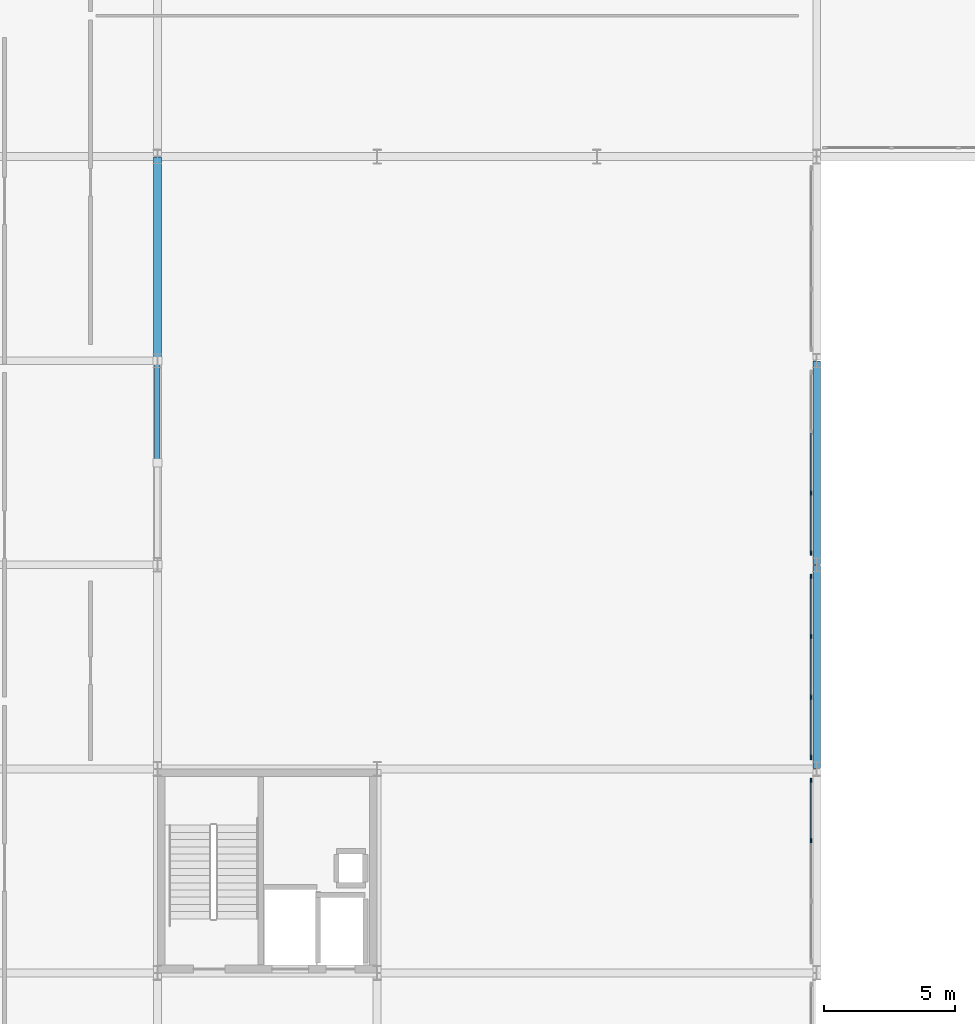
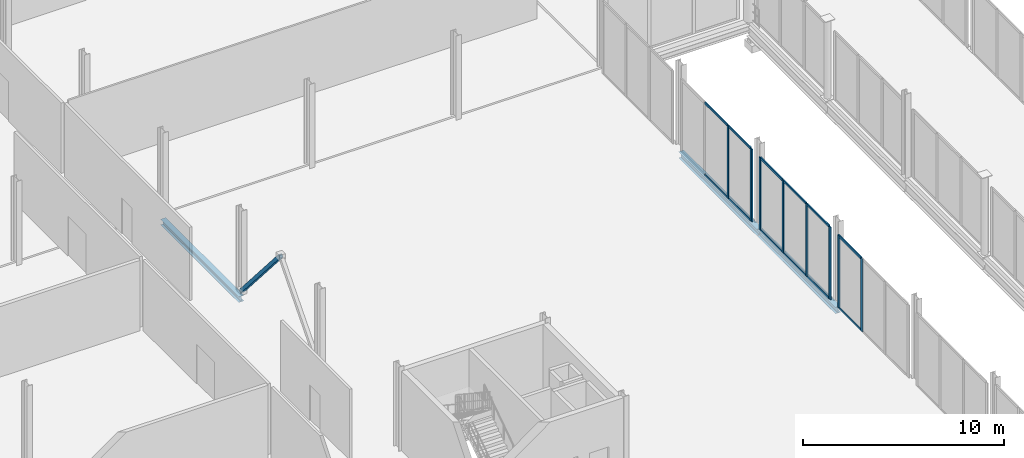
# One storey, part 41 of 105: 21 members, 3 beams, 3 elements without a shape of their own.
"""IFC4 building model written with IfcOpenShell, lengths in metres."""

from ifc_helpers import new_model, si_unit, direction, frame, origin, origin_2d, place, context, subcontext, project, spatial, rectangle, hollow_rectangle, i_section, extrude, material, material_profile, profile_set, type_object, element, aggregate, save


model = new_model("IFC4")

# Units and contexts
model_context = context("Model", 3, precision=1e-05, world=origin(), true_north=direction((0.0, 1.0)))
body_context = subcontext(model_context, "Body", "Model", "MODEL_VIEW")
ifc_project = project(units=[si_unit("LENGTHUNIT", "METRE"), si_unit("AREAUNIT", "SQUARE_METRE"), si_unit("VOLUMEUNIT", "CUBIC_METRE"), si_unit("PLANEANGLEUNIT", "RADIAN"), si_unit("MASSUNIT", "GRAM", prefix="KILO")], contexts=[model_context])

# Site, building, storey
site_placement = place(None, origin())
site = spatial("IfcSite", under=ifc_project, at=site_placement, CompositionType="ELEMENT")
building_placement = place(site_placement, origin())
building = spatial("IfcBuilding", under=site, at=building_placement, Name="Nabrawat Pavilion Hospital", CompositionType="ELEMENT")
storey_placement = place(building_placement, frame((0.0, 0.0, 5.10009765625)))
storey = spatial("IfcBuildingStorey", under=building, at=storey_placement, Name="L01", CompositionType="ELEMENT", Elevation=5.10009765625)

# Curtain wall, members
ifc_material_1 = material(Name="Anodised Aluminium", Category="aluminium")
curtain_wall_type = type_object("IfcCurtainWallType", Name="Healing Garden Cloister Curtain Wall", PredefinedType="USERDEFINED", material=ifc_material_1)
curtain_wall_1_placement = place(storey_placement, origin())
curtain_wall_1 = element("IfcCurtainWall", 1, at=curtain_wall_1_placement, inside=storey, type_object=curtain_wall_type, Name="L01 Healing Garden Cloister Curtain Wall 045", ObjectType="CURTAIN WALL", PredefinedType="USERDEFINED")
ifc_material_profile_1 = material_profile(ifc_material_1, rectangle(XDim=0.06494140625, YDim=0.179931640625, at=origin_2d()), Name="CWM 65x180")
ifc_profile_set_1 = profile_set([ifc_material_profile_1], Name="Anodised Aluminium")
member_type_1 = type_object("IfcMemberType", Name="Healing Garden Cloister Curtain Wall Mullion CWM 65x180", PredefinedType="MULLION", material=ifc_profile_set_1)
member_1_placement = place(storey_placement, frame((58.580078125, 59.66162109375, 0.0), z_axis=(0.0, 0.0, 1.0), x_axis=(-1.0, 0.0, 0.0)))
member_1 = element("IfcMember", 2, at=member_1_placement, type_object=member_type_1, Name="CW-CLN-01 mullion 3", PredefinedType="MULLION", context=body_context, shape_type="SweptSolid", body=[
    extrude(rectangle(XDim=0.06494140625, YDim=0.179931640625, at=origin_2d()), origin(), (0.0, 0.0, 1.0), 4.419921875),
])
member_2_placement = place(storey_placement, frame((58.580078125, 61.952392578125, 0.0), z_axis=(0.0, 0.0, 1.0), x_axis=(-1.0, 0.0, 0.0)))
member_2 = element("IfcMember", 3, at=member_2_placement, type_object=member_type_1, Name="CW-CLN-01 mullion 4", PredefinedType="MULLION", context=body_context, shape_type="SweptSolid", body=[
    extrude(rectangle(XDim=0.06494140625, YDim=0.179931640625, at=origin_2d()), origin(), (0.0, 0.0, 1.0), 4.419921875),
])

curtain_wall_2_placement = place(storey_placement, origin())
curtain_wall_2 = element("IfcCurtainWall", 4, at=curtain_wall_2_placement, inside=storey, type_object=curtain_wall_type, Name="L01 Healing Garden Cloister Curtain Wall 046", ObjectType="CURTAIN WALL", PredefinedType="USERDEFINED")
member_3_placement = place(storey_placement, frame((58.580078125, 62.847412109375, 0.0), z_axis=(0.0, 0.0, 1.0), x_axis=(-1.0, 0.0, 0.0)))
member_3 = element("IfcMember", 5, at=member_3_placement, type_object=member_type_1, Name="CW-CLN-01 mullion 1", PredefinedType="MULLION", context=body_context, shape_type="SweptSolid", body=[
    extrude(rectangle(XDim=0.06494140625, YDim=0.179931640625, at=origin_2d()), origin(), (0.0, 0.0, 1.0), 4.419921875),
])
member_4_placement = place(storey_placement, frame((58.580078125, 65.138427734375, 0.0), z_axis=(0.0, 0.0, 1.0), x_axis=(-1.0, 0.0, 0.0)))
member_4 = element("IfcMember", 6, at=member_4_placement, type_object=member_type_1, Name="CW-CLN-01 mullion 2", PredefinedType="MULLION", context=body_context, shape_type="SweptSolid", body=[
    extrude(rectangle(XDim=0.06494140625, YDim=0.179931640625, at=origin_2d()), origin(), (0.0, 0.0, 1.0), 4.419921875),
])
member_5_placement = place(storey_placement, frame((58.580078125, 67.461669921875, 0.0), z_axis=(0.0, 0.0, 1.0), x_axis=(-1.0, 0.0, 0.0)))
member_5 = element("IfcMember", 7, at=member_5_placement, type_object=member_type_1, Name="CW-CLN-01 mullion 3", PredefinedType="MULLION", context=body_context, shape_type="SweptSolid", body=[
    extrude(rectangle(XDim=0.06494140625, YDim=0.179931640625, at=origin_2d()), origin(), (0.0, 0.0, 1.0), 4.419921875),
])
member_6_placement = place(storey_placement, frame((58.580078125, 69.75244140625, 0.0), z_axis=(0.0, 0.0, 1.0), x_axis=(-1.0, 0.0, 0.0)))
member_6 = element("IfcMember", 8, at=member_6_placement, type_object=member_type_1, Name="CW-CLN-01 mullion 4", PredefinedType="MULLION", context=body_context, shape_type="SweptSolid", body=[
    extrude(rectangle(XDim=0.06494140625, YDim=0.179931640625, at=origin_2d()), origin(), (0.0, 0.0, 1.0), 4.419921875),
])

curtain_wall_3_placement = place(storey_placement, origin())
curtain_wall_3 = element("IfcCurtainWall", 9, at=curtain_wall_3_placement, inside=storey, type_object=curtain_wall_type, Name="L01 Healing Garden Cloister Curtain Wall 047", ObjectType="CURTAIN WALL", PredefinedType="USERDEFINED")
member_7_placement = place(storey_placement, frame((58.580078125, 70.6474609375, 0.0), z_axis=(0.0, 0.0, 1.0), x_axis=(-1.0, 0.0, 0.0)))
member_7 = element("IfcMember", 10, at=member_7_placement, type_object=member_type_1, Name="CW-CLN-01 mullion 1", PredefinedType="MULLION", context=body_context, shape_type="SweptSolid", body=[
    extrude(rectangle(XDim=0.06494140625, YDim=0.179931640625, at=origin_2d()), origin(), (0.0, 0.0, 1.0), 4.419921875),
])
member_8_placement = place(storey_placement, frame((58.580078125, 72.938232421875, 0.0), z_axis=(0.0, 0.0, 1.0), x_axis=(-1.0, 0.0, 0.0)))
member_8 = element("IfcMember", 11, at=member_8_placement, type_object=member_type_1, Name="CW-CLN-01 mullion 2", PredefinedType="MULLION", context=body_context, shape_type="SweptSolid", body=[
    extrude(rectangle(XDim=0.06494140625, YDim=0.179931640625, at=origin_2d()), origin(), (0.0, 0.0, 1.0), 4.419921875),
])

# Member
ifc_material_profile_2 = material_profile(ifc_material_1, rectangle(XDim=0.06494140625, YDim=0.135009765625, at=origin_2d()), Name="CWT 65x135")
ifc_profile_set_2 = profile_set([ifc_material_profile_2], Name="Anodised Aluminium")
member_type_2 = type_object("IfcMemberType", Name="Healing Garden Cloister Curtain Wall Transom CWT 65x135", PredefinedType="USERDEFINED", material=ifc_profile_set_2)
member_9_placement = place(storey_placement, frame((58.580078125, 59.694091796875, 0.032470703125), z_axis=(0.0, 1.0, 0.0), x_axis=(-1.0, 0.0, 0.0)))
member_9 = element("IfcMember", 12, at=member_9_placement, type_object=member_type_2, Name="CW-CLN-01 transom 3.1", ObjectType="TRANSOM", PredefinedType="USERDEFINED", context=body_context, shape_type="SweptSolid", body=[
    extrude(rectangle(XDim=0.06494140625, YDim=0.135009765625, at=origin_2d()), origin(), (0.0, 0.0, 1.0), 2.225830078125),
])

member_10_placement = place(storey_placement, frame((58.580078125, 59.694091796875, 4.387451171875), z_axis=(0.0, 1.0, 0.0), x_axis=(-1.0, 0.0, 0.0)))
member_10 = element("IfcMember", 13, at=member_10_placement, type_object=member_type_2, Name="CW-CLN-01 transom 3.2", ObjectType="TRANSOM", PredefinedType="USERDEFINED", context=body_context, shape_type="SweptSolid", body=[
    extrude(rectangle(XDim=0.06494140625, YDim=0.135009765625, at=origin_2d()), origin(), (0.0, 0.0, 1.0), 2.225830078125),
])

aggregate(curtain_wall_1, [member_1, member_2, member_9, member_10])

member_11_placement = place(storey_placement, frame((58.580078125, 62.8798828125, 0.032470703125), z_axis=(0.0, 1.0, 0.0), x_axis=(-1.0, 0.0, 0.0)))
member_11 = element("IfcMember", 14, at=member_11_placement, type_object=member_type_2, Name="CW-CLN-01 transom 1.1", ObjectType="TRANSOM", PredefinedType="USERDEFINED", context=body_context, shape_type="SweptSolid", body=[
    extrude(rectangle(XDim=0.06494140625, YDim=0.135009765625, at=origin_2d()), origin(), (0.0, 0.0, 1.0), 2.225830078125),
])

member_12_placement = place(storey_placement, frame((58.580078125, 62.8798828125, 4.387451171875), z_axis=(0.0, 1.0, 0.0), x_axis=(-1.0, 0.0, 0.0)))
member_12 = element("IfcMember", 15, at=member_12_placement, type_object=member_type_2, Name="CW-CLN-01 transom 1.2", ObjectType="TRANSOM", PredefinedType="USERDEFINED", context=body_context, shape_type="SweptSolid", body=[
    extrude(rectangle(XDim=0.06494140625, YDim=0.135009765625, at=origin_2d()), origin(), (0.0, 0.0, 1.0), 2.225830078125),
])

member_13_placement = place(storey_placement, frame((58.580078125, 65.1708984375, 0.032470703125), z_axis=(0.0, 1.0, 0.0), x_axis=(-1.0, 0.0, 0.0)))
member_13 = element("IfcMember", 16, at=member_13_placement, type_object=member_type_2, Name="CW-CLN-01 transom 2.1", ObjectType="TRANSOM", PredefinedType="USERDEFINED", context=body_context, shape_type="SweptSolid", body=[
    extrude(rectangle(XDim=0.06494140625, YDim=0.135009765625, at=origin_2d()), origin(), (0.0, 0.0, 1.0), 2.25830078125),
])

member_14_placement = place(storey_placement, frame((58.580078125, 65.1708984375, 4.387451171875), z_axis=(0.0, 1.0, 0.0), x_axis=(-1.0, 0.0, 0.0)))
member_14 = element("IfcMember", 17, at=member_14_placement, type_object=member_type_2, Name="CW-CLN-01 transom 2.2", ObjectType="TRANSOM", PredefinedType="USERDEFINED", context=body_context, shape_type="SweptSolid", body=[
    extrude(rectangle(XDim=0.06494140625, YDim=0.135009765625, at=origin_2d()), origin(), (0.0, 0.0, 1.0), 2.25830078125),
])

member_15_placement = place(storey_placement, frame((58.580078125, 67.494140625, 0.032470703125), z_axis=(0.0, 1.0, 0.0), x_axis=(-1.0, 0.0, 0.0)))
member_15 = element("IfcMember", 18, at=member_15_placement, type_object=member_type_2, Name="CW-CLN-01 transom 3.1", ObjectType="TRANSOM", PredefinedType="USERDEFINED", context=body_context, shape_type="SweptSolid", body=[
    extrude(rectangle(XDim=0.06494140625, YDim=0.135009765625, at=origin_2d()), origin(), (0.0, 0.0, 1.0), 2.225830078125),
])

member_16_placement = place(storey_placement, frame((58.580078125, 67.494140625, 4.387451171875), z_axis=(0.0, 1.0, 0.0), x_axis=(-1.0, 0.0, 0.0)))
member_16 = element("IfcMember", 19, at=member_16_placement, type_object=member_type_2, Name="CW-CLN-01 transom 3.2", ObjectType="TRANSOM", PredefinedType="USERDEFINED", context=body_context, shape_type="SweptSolid", body=[
    extrude(rectangle(XDim=0.06494140625, YDim=0.135009765625, at=origin_2d()), origin(), (0.0, 0.0, 1.0), 2.225830078125),
])

aggregate(curtain_wall_2, [member_3, member_4, member_5, member_6, member_11, member_12, member_13, member_14, member_15, member_16])

member_17_placement = place(storey_placement, frame((58.580078125, 70.679931640625, 0.032470703125), z_axis=(0.0, 1.0, 0.0), x_axis=(-1.0, 0.0, 0.0)))
member_17 = element("IfcMember", 20, at=member_17_placement, type_object=member_type_2, Name="CW-CLN-01 transom 1.1", ObjectType="TRANSOM", PredefinedType="USERDEFINED", context=body_context, shape_type="SweptSolid", body=[
    extrude(rectangle(XDim=0.06494140625, YDim=0.135009765625, at=origin_2d()), origin(), (0.0, 0.0, 1.0), 2.225830078125),
])

member_18_placement = place(storey_placement, frame((58.580078125, 70.679931640625, 4.387451171875), z_axis=(0.0, 1.0, 0.0), x_axis=(-1.0, 0.0, 0.0)))
member_18 = element("IfcMember", 21, at=member_18_placement, type_object=member_type_2, Name="CW-CLN-01 transom 1.2", ObjectType="TRANSOM", PredefinedType="USERDEFINED", context=body_context, shape_type="SweptSolid", body=[
    extrude(rectangle(XDim=0.06494140625, YDim=0.135009765625, at=origin_2d()), origin(), (0.0, 0.0, 1.0), 2.225830078125),
])

member_19_placement = place(storey_placement, frame((58.580078125, 72.970947265625, 0.032470703125), z_axis=(0.0, 1.0, 0.0), x_axis=(-1.0, 0.0, 0.0)))
member_19 = element("IfcMember", 22, at=member_19_placement, type_object=member_type_2, Name="CW-CLN-01 transom 2.1", ObjectType="TRANSOM", PredefinedType="USERDEFINED", context=body_context, shape_type="SweptSolid", body=[
    extrude(rectangle(XDim=0.06494140625, YDim=0.135009765625, at=origin_2d()), origin(), (0.0, 0.0, 1.0), 2.25830078125),
])

member_20_placement = place(storey_placement, frame((58.580078125, 72.970947265625, 4.387451171875), z_axis=(0.0, 1.0, 0.0), x_axis=(-1.0, 0.0, 0.0)))
member_20 = element("IfcMember", 23, at=member_20_placement, type_object=member_type_2, Name="CW-CLN-01 transom 2.2", ObjectType="TRANSOM", PredefinedType="USERDEFINED", context=body_context, shape_type="SweptSolid", body=[
    extrude(rectangle(XDim=0.06494140625, YDim=0.135009765625, at=origin_2d()), origin(), (0.0, 0.0, 1.0), 2.25830078125),
])

aggregate(curtain_wall_3, [member_7, member_8, member_17, member_18, member_19, member_20])

ifc_material_2 = material(Name="Steel S355", Category="steel")
ifc_material_profile_3 = material_profile(ifc_material_2, hollow_rectangle(XDim=0.199951171875, YDim=0.199951171875, WallThickness=0.012451171875, at=origin_2d()), Name="SHS 200x200x12.5")
ifc_profile_set_3 = profile_set([ifc_material_profile_3], Name="Steel S355")
member_type_3 = type_object("IfcMemberType", Name="Mid Seismic Chevron Brace SHS 200x200x12.5", PredefinedType="BRACE", material=ifc_profile_set_3)
member_21_placement = place(storey_placement, frame((33.60009765625, 78.0, 0.0498046875), z_axis=(0.0, -0.654921173069, 0.755697199324), x_axis=(1.0, 0.0, 0.0)))
element("IfcMember", 24, at=member_21_placement, inside=storey, type_object=member_type_3, Name="L01 Seismic Concentric Chevron Brace 030", PredefinedType="BRACE", context=body_context, shape_type="SweptSolid", body=[
    extrude(hollow_rectangle(XDim=0.199951171875, YDim=0.199951171875, WallThickness=0.012451171875, at=origin_2d()), origin(), (0.0, 0.0, 1.0), 5.954833984375),
])

# Beams
ifc_material_profile_4 = material_profile(ifc_material_2, i_section(OverallWidth=0.300048828125, OverallDepth=0.389892578125, WebThickness=0.010986328125, FlangeThickness=0.01904296875, FilletRadius=0.027099609375, at=origin_2d()), Name="HEA 400")
ifc_profile_set_4 = profile_set([ifc_material_profile_4], Name="Steel S355")
beam_type_1 = type_object("IfcBeamType", Name="Perimeter Moment Spandrel Beam HEA 400", PredefinedType="SPANDREL", material=ifc_profile_set_4)
for number, where, z_axis, x_axis, name in (
    (25, (58.800048828125, 62.419921875, -0.465087890625), (0.0, 1.0, 0.0), (-1.0, 0.0, 0.0), "L01 Primary Y Beam 750"),
    (26, (58.800048828125, 70.219970703125, -0.465087890625), (0.0, 1.0, 0.0), (-1.0, 0.0, 0.0), "L01 Primary Y Beam 751"),
):
    element("IfcBeam", number, at=place(storey_placement, frame(where, z_axis=z_axis, x_axis=x_axis)), inside=storey, type_object=beam_type_1, Name=name, PredefinedType="SPANDREL", context=body_context, shape_type="SweptSolid", body=[
        extrude(i_section(OverallWidth=0.300048828125, OverallDepth=0.389892578125, WebThickness=0.010986328125, FlangeThickness=0.01904296875, FilletRadius=0.027099609375, at=origin_2d()), origin(), (0.0, 0.0, 1.0), 7.760009765625),
    ])
ifc_material_profile_5 = material_profile(ifc_material_2, i_section(OverallWidth=0.300048828125, OverallDepth=0.35009765625, WebThickness=0.009521484375, FlangeThickness=0.017578125, FilletRadius=0.027099609375, at=origin_2d()), Name="HEA 360")
ifc_profile_set_5 = profile_set([ifc_material_profile_5], Name="Steel S355")
beam_type_2 = type_object("IfcBeamType", Name="Surgical Stiffened Beam HEA 360", PredefinedType="BEAM", material=ifc_profile_set_5)
beam_placement = place(storey_placement, frame((33.60009765625, 78.02001953125, -0.445068359375), z_axis=(0.0, 1.0, 0.0), x_axis=(-1.0, 0.0, 0.0)))
element("IfcBeam", 27, at=beam_placement, inside=storey, type_object=beam_type_2, Name="L01 Primary Y Beam 740", PredefinedType="BEAM", context=body_context, shape_type="SweptSolid", body=[
    extrude(i_section(OverallWidth=0.300048828125, OverallDepth=0.35009765625, WebThickness=0.009521484375, FlangeThickness=0.017578125, FilletRadius=0.027099609375, at=origin_2d()), origin(), (0.0, 0.0, 1.0), 7.760009765625),
])

save(model, "model.ifc")
